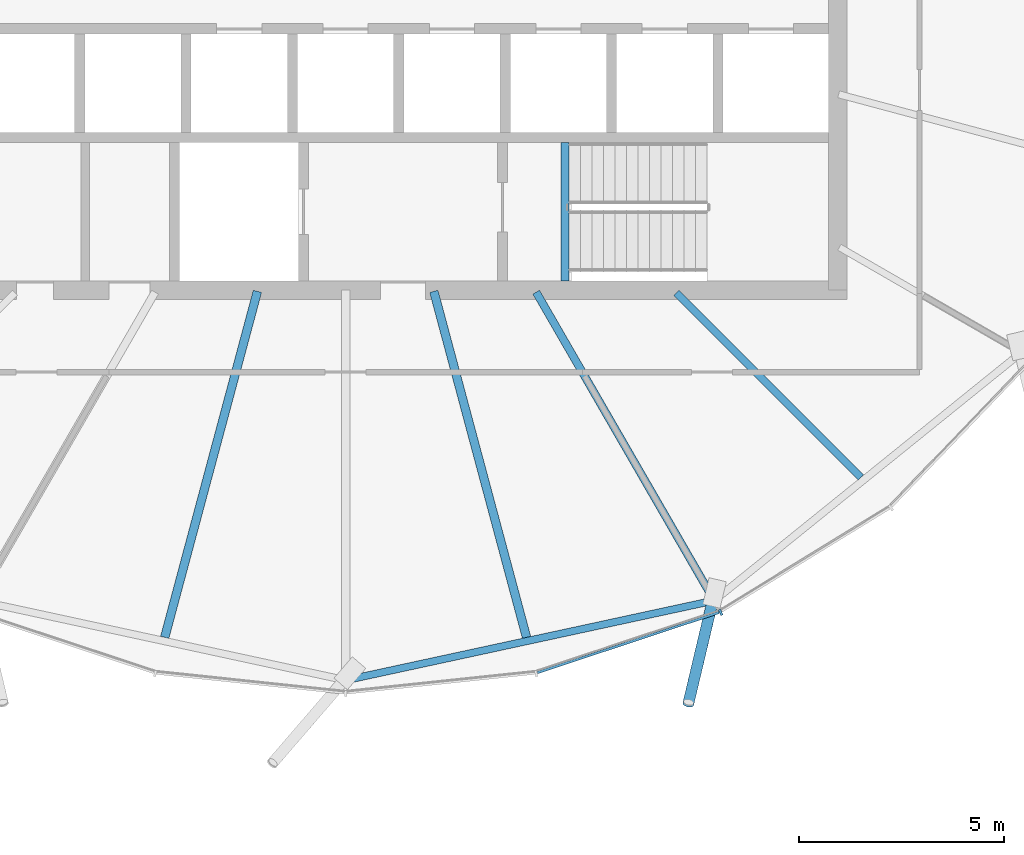
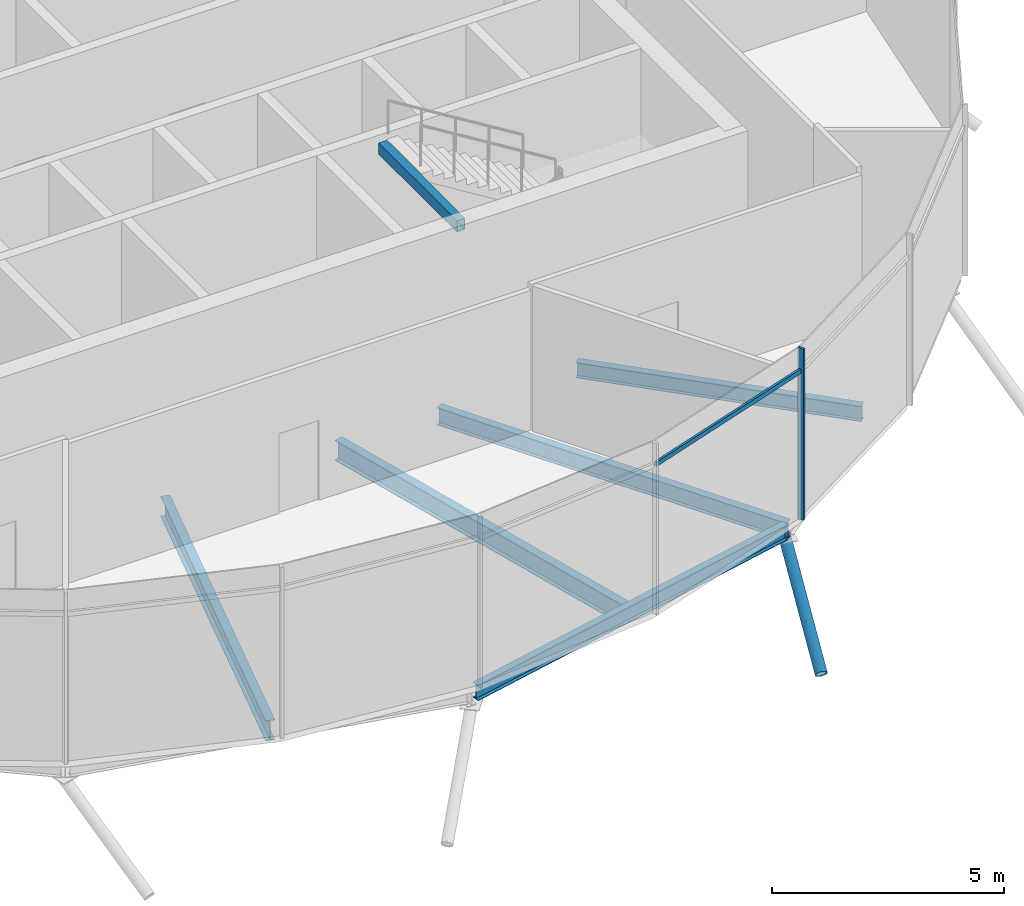
# One storey, part 4 of 31: 6 beams, 3 members, 1 element without a shape of its own.
"""IFC4 building model written with IfcOpenShell, lengths in metres."""

from ifc_helpers import new_model, si_unit, direction, frame, origin, origin_2d, place, context, subcontext, project, spatial, rectangle, hollow_rectangle, hollow_circle, i_section, extrude, clip, halfspace, material, material_profile, profile_set, type_object, element, aggregate, save


model = new_model("IFC4")

# Units and contexts
model_context = context("Model", 3, precision=1e-05, world=origin(), true_north=direction((0.0, 1.0)))
body_context = subcontext(model_context, "Body", "Model", "MODEL_VIEW")
ifc_project = project(units=[si_unit("LENGTHUNIT", "METRE"), si_unit("AREAUNIT", "SQUARE_METRE"), si_unit("VOLUMEUNIT", "CUBIC_METRE"), si_unit("PLANEANGLEUNIT", "RADIAN"), si_unit("MASSUNIT", "GRAM", prefix="KILO")], contexts=[model_context])

# Site, building, storey
site_placement = place(None, origin())
site = spatial("IfcSite", under=ifc_project, at=site_placement, CompositionType="ELEMENT")
building_placement = place(site_placement, origin())
building = spatial("IfcBuilding", under=site, at=building_placement, Name="Rimbun Link Towers", CompositionType="ELEMENT")
storey_placement = place(building_placement, frame((0.0, 0.0, 263.10009765625)))
storey = spatial("IfcBuildingStorey", under=building, at=storey_placement, Name="L64", CompositionType="ELEMENT", Elevation=263.10009765625)

# Curtain wall, members
ifc_material_1 = material(Name="Aluminium 6063-T6 and low-iron glass", Category="aluminium")
curtain_wall_type = type_object("IfcCurtainWallType", Name="CW5 full height lobby wall", PredefinedType="NOTDEFINED", material=ifc_material_1)
curtain_wall_placement = place(storey_placement, origin())
curtain_wall = element("IfcCurtainWall", 1, at=curtain_wall_placement, inside=storey, type_object=curtain_wall_type, Name="CW5 L64 T1", PredefinedType="NOTDEFINED")
ifc_material_2 = material(Name="Aluminium 6063-T6", Category="aluminium")
ifc_material_profile_1 = material_profile(ifc_material_2, rectangle(XDim=0.14990234375, YDim=0.06005859375, at=origin_2d()), Name="MULLION 60X150")
ifc_profile_set_1 = profile_set([ifc_material_profile_1], Name="Aluminium 6063-T6")
member_type_1 = type_object("IfcMemberType", Name="CW5 mullion 60X150", PredefinedType="MULLION", material=ifc_profile_set_1)
member_1_placement = place(storey_placement, frame((-22.60205078125, -15.85791015625, 0.0), z_axis=(0.0, 0.0, 1.0), x_axis=(0.421703725723, -0.906733680698, 0.0)))
member_1 = element("IfcMember", 2, at=member_1_placement, type_object=member_type_1, Name="CW5 mullion", PredefinedType="MULLION", context=body_context, shape_type="SweptSolid", body=[
    extrude(rectangle(XDim=0.14990234375, YDim=0.06005859375, at=origin_2d()), origin(), (0.0, 0.0, 1.0), 4.5),
])
ifc_material_3 = material(Name="Aluminium 6063-T6", Category="aluminium")
ifc_material_profile_2 = material_profile(ifc_material_3, rectangle(XDim=0.06005859375, YDim=0.1201171875, at=origin_2d()), Name="TRANSOM 60X120")
ifc_profile_set_2 = profile_set([ifc_material_profile_2], Name="Aluminium 6063-T6")
member_type_2 = type_object("IfcMemberType", Name="CW5 transom 60X120", PredefinedType="USERDEFINED", material=ifc_profile_set_2)
member_2_placement = place(storey_placement, frame((-22.642578125, -15.858154296875, 3.89990234375), z_axis=(-0.94924154326, -0.31454807669, 0.0), x_axis=(0.31454807669, -0.94924154326, 0.0)))
member_2 = element("IfcMember", 3, at=member_2_placement, type_object=member_type_2, Name="CW5 transom", ObjectType="TRANSOM", PredefinedType="USERDEFINED", context=body_context, shape_type="SweptSolid", body=[
    extrude(rectangle(XDim=0.06005859375, YDim=0.1201171875, at=origin_2d()), origin(), (0.0, 0.0, 1.0), 4.6669921875),
])
aggregate(curtain_wall, [member_1, member_2])

# Member
ifc_material_4 = material(Name="Steel S355J2H", Category="steel")
ifc_material_profile_3 = material_profile(ifc_material_4, hollow_circle(Radius=0.136474609375, WallThickness=0.012451171875, at=origin_2d()), Name="CHS 273x12.5")
ifc_profile_set_3 = profile_set([ifc_material_profile_3], Name="Steel S355J2H")
member_type_3 = type_object("IfcMemberType", Name="Floor edge link CHS 273x12.5", PredefinedType="BRACE", material=ifc_profile_set_3)
member_3_placement = place(storey_placement, frame((-22.786376953125, -15.525390625, -0.748046875), z_axis=(-0.193592249074, -0.817086900133, -0.543038708316), x_axis=(0.973061143771, -0.230547197953, 0.0)))
element("IfcMember", 4, at=member_3_placement, inside=storey, type_object=member_type_3, Name="Floor edge link T1 L64 20", PredefinedType="BRACE", context=body_context, shape_type="Clipping", body=[
    clip(extrude(hollow_circle(Radius=0.136474609375, WallThickness=0.012451171875, at=origin_2d()), frame((0.0, 0.0, -0.4404296875)), (0.0, 0.0, 1.0), 3.578125), halfspace(frame((0.0, 0.0, -0.207275390625), z_axis=(0.0, 0.839707664173, -0.543038708316)), False)),
])

# Beams
ifc_material_5 = material(Name="Steel S355J2", Category="steel")
ifc_material_profile_4 = material_profile(ifc_material_5, hollow_rectangle(XDim=0.199951171875, YDim=0.300048828125, WallThickness=0.011962890625, at=origin_2d()), Name="BOX 300x200x12")
ifc_profile_set_4 = profile_set([ifc_material_profile_4], Name="Steel S355J2")
beam_type_1 = type_object("IfcBeamType", Name="Stair trimmer beam BOX 300x200x12", PredefinedType="BEAM", material=ifc_profile_set_4)
beam_1_placement = place(storey_placement, frame((-26.39990234375, -7.77490234375, 4.14990234375), z_axis=(0.0, 1.0, 0.0), x_axis=(-1.0, 0.0, 0.0)))
element("IfcBeam", 5, at=beam_1_placement, inside=storey, type_object=beam_type_1, Name="L64 ST2 stair beam 1", PredefinedType="BEAM", context=body_context, shape_type="SweptSolid", body=[
    extrude(hollow_rectangle(XDim=0.199951171875, YDim=0.300048828125, WallThickness=0.011962890625, at=origin_2d()), origin(), (0.0, 0.0, 1.0), 3.375),
])
ifc_material_6 = material(Name="Steel S355J2", Category="steel")
ifc_material_profile_5 = material_profile(ifc_material_6, i_section(OverallWidth=0.177978515625, OverallDepth=0.406494140625, WebThickness=0.0078125, FlangeThickness=0.0126953125, at=origin_2d()), Name="UB 406x178x60")
ifc_profile_set_5 = profile_set([ifc_material_profile_5], Name="Steel S355J2")
beam_type_2 = type_object("IfcBeamType", Name="UB 406x178x60", PredefinedType="BEAM", material=ifc_profile_set_5)
beam_2_placement = place(storey_placement, frame((-23.686279296875, -8.063720703125, -0.38330078125), z_axis=(0.707106781187, -0.707106781187, 0.0), x_axis=(0.707106781187, 0.707106781187, 0.0)))
element("IfcBeam", 6, at=beam_2_placement, inside=storey, type_object=beam_type_2, Name="Radial beam T1 L64 21", PredefinedType="BEAM", context=body_context, shape_type="SweptSolid", body=[
    extrude(i_section(OverallWidth=0.177978515625, OverallDepth=0.406494140625, WebThickness=0.0078125, FlangeThickness=0.0126953125, at=origin_2d()), origin(), (0.0, 0.0, 1.0), 6.366455078125),
])
beam_3_placement = place(storey_placement, frame((-31.644287109375, -17.489990234375, -0.38330078125), z_axis=(0.977401121649, 0.21139311105, 0.0), x_axis=(-0.21139311105, 0.977401121649, 0.0)))
element("IfcBeam", 7, at=beam_3_placement, inside=storey, type_object=beam_type_2, Name="Edge beam T1 L64 18-20", PredefinedType="BEAM", context=body_context, shape_type="SweptSolid", body=[
    extrude(i_section(OverallWidth=0.177978515625, OverallDepth=0.406494140625, WebThickness=0.0078125, FlangeThickness=0.0126953125, at=origin_2d()), origin(), (0.0, 0.0, 1.0), 8.987548828125),
])
ifc_material_7 = material(Name="Steel S355J2", Category="steel")
ifc_material_profile_6 = material_profile(ifc_material_7, i_section(OverallWidth=0.18994140625, OverallDepth=0.453369140625, WebThickness=0.008544921875, FlangeThickness=0.0126953125, at=origin_2d()), Name="UB 457x191x67")
ifc_profile_set_6 = profile_set([ifc_material_profile_6], Name="Steel S355J2")
beam_type_3 = type_object("IfcBeamType", Name="UB 457x191x67", PredefinedType="BEAM", material=ifc_profile_set_6)
beam_4_placement = place(storey_placement, frame((-27.103271484375, -8.04833984375, -0.40673828125), z_axis=(0.500006374285, -0.866021723558, 0.0), x_axis=(0.866021723558, 0.500006374285, 0.0)))
element("IfcBeam", 8, at=beam_4_placement, inside=storey, type_object=beam_type_3, Name="Radial beam T1 L64 20", PredefinedType="BEAM", context=body_context, shape_type="SweptSolid", body=[
    extrude(i_section(OverallWidth=0.18994140625, OverallDepth=0.453369140625, WebThickness=0.008544921875, FlangeThickness=0.0126953125, at=origin_2d()), origin(), (0.0, 0.0, 1.0), 8.68408203125),
])
ifc_material_8 = material(Name="Steel S355J2", Category="steel")
ifc_material_profile_7 = material_profile(ifc_material_8, i_section(OverallWidth=0.209228515625, OverallDepth=0.533203125, WebThickness=0.010009765625, FlangeThickness=0.015625, at=origin_2d()), Name="UB 533x210x92")
ifc_profile_set_7 = profile_set([ifc_material_profile_7], Name="Steel S355J2")
beam_type_4 = type_object("IfcBeamType", Name="UB 533x210x92", PredefinedType="BEAM", material=ifc_profile_set_7)
for number, where, z_axis, x_axis, name in (
    (9, (-33.901123046875, -8.028076171875, -0.446533203125), (-0.258808722703, -0.965928592108, 0.0), (0.965928592108, -0.258808722703, 0.0), "Radial beam T1 L64 17"),
    (10, (-29.598876953125, -8.028076171875, -0.446533203125), (0.258808722703, -0.965928592108, 0.0), (0.965928592108, 0.258808722703, 0.0), "Radial beam T1 L64 19"),
):
    element("IfcBeam", number, at=place(storey_placement, frame(where, z_axis=z_axis, x_axis=x_axis)), inside=storey, type_object=beam_type_4, Name=name, PredefinedType="BEAM", context=body_context, shape_type="SweptSolid", body=[
        extrude(i_section(OverallWidth=0.209228515625, OverallDepth=0.533203125, WebThickness=0.010009765625, FlangeThickness=0.015625, at=origin_2d()), origin(), (0.0, 0.0, 1.0), 8.736083984375),
    ])

save(model, "model.ifc")
